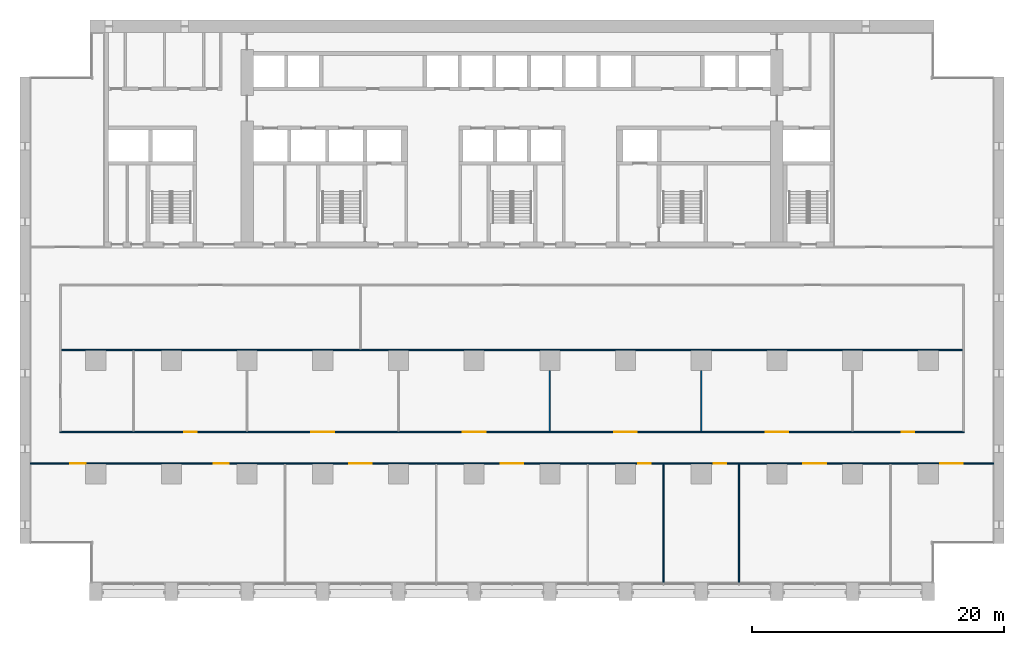
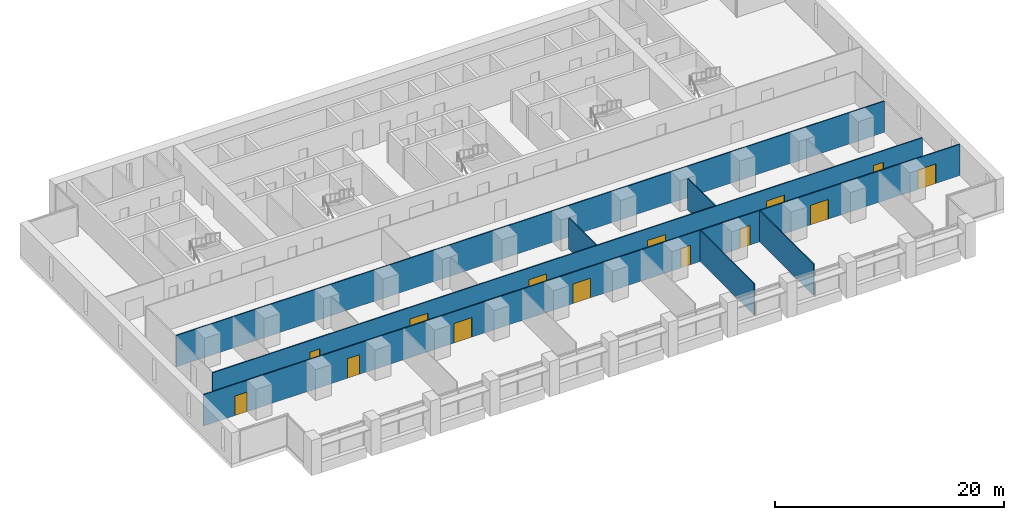
# One storey, part 9 of 18: 14 doors, 7 walls, 14 openings.
"""IFC4 building model written with IfcOpenShell, lengths in metres."""

from ifc_helpers import new_model, si_unit, direction, frame, frame_2d, origin, place, context, subcontext, project, spatial, rectangle, extrude, material, layer, layer_set, type_object, element, fill, save


model = new_model("IFC4")

# Units and contexts
model_context = context("Model", 3, precision=1e-05, world=origin(), true_north=direction((0.0, 1.0)))
body_context = subcontext(model_context, "Body", "Model", "MODEL_VIEW")
ifc_project = project(units=[si_unit("LENGTHUNIT", "METRE"), si_unit("AREAUNIT", "SQUARE_METRE"), si_unit("VOLUMEUNIT", "CUBIC_METRE"), si_unit("PLANEANGLEUNIT", "RADIAN"), si_unit("MASSUNIT", "GRAM", prefix="KILO")], contexts=[model_context])

# Site, building, storey
site_placement = place(None, origin())
site = spatial("IfcSite", under=ifc_project, at=site_placement, CompositionType="ELEMENT")
building_placement = place(site_placement, origin())
building = spatial("IfcBuilding", under=site, at=building_placement, Name="Calvaro Tower", CompositionType="ELEMENT")
storey_placement = place(building_placement, frame((0.0, 0.0, 63.75)))
storey = spatial("IfcBuildingStorey", under=building, at=storey_placement, Name="L15", CompositionType="ELEMENT", Elevation=63.75)

# Wall, openings, doors
ifc_material_1 = material(Name="Plasterboard on steel studs", Category="steel")
ifc_layer = layer(ifc_material_1, 0.10009765625)
ifc_layer_set = layer_set([ifc_layer], Name="Plasterboard on steel studs")
wall_type = type_object("IfcWallType", Name="Partition 100", PredefinedType="PARTITIONING", material=ifc_layer_set)
wall_1_placement = place(storey_placement, frame((0.800048828125, 10.85009765625, 0.0), z_axis=(0.0, 0.0, 1.0), x_axis=(1.0, 0.0, 0.0)))
wall_1 = element("IfcWall", 1, at=wall_1_placement, inside=storey, type_object=wall_type, Name="Partition T12.W001", PredefinedType="PARTITIONING", context=body_context, shape_type="SweptSolid", body=[
    extrude(rectangle(XDim=76.39990234375, YDim=0.10009765625, at=frame_2d((38.199951171875, 0.0))), origin(), (0.0, 0.0, 1.0), 3.35009765625),
])
opening_1_placement = place(wall_1_placement, frame((25.300048828125, 0.0, 0.0)))
opening_1 = element("IfcOpeningElement", 2, at=opening_1_placement, cuts=wall_1, Name="Opening T12.001", PredefinedType="OPENING", context=body_context, shape_type="SweptSolid", body=[
    extrude(rectangle(XDim=1.800048828125, YDim=2.10009765625, at=frame_2d((0.89990234375, 1.050048828125))), frame((0.0, 0.06005859375, 0.0), z_axis=(0.0, -1.0, 0.0), x_axis=(1.0, 0.0, 0.0)), (0.0, 0.0, 1.0), 0.1201171875),
])
opening_2_placement = place(wall_1_placement, frame((37.300048828125, 0.0, 0.0)))
opening_2 = element("IfcOpeningElement", 3, at=opening_2_placement, cuts=wall_1, Name="Opening T12.002", PredefinedType="OPENING", context=body_context, shape_type="SweptSolid", body=[
    extrude(rectangle(XDim=1.800048828125, YDim=2.10009765625, at=frame_2d((0.89990234375, 1.050048828125))), frame((0.0, 0.06005859375, 0.0), z_axis=(0.0, -1.0, 0.0), x_axis=(1.0, 0.0, 0.0)), (0.0, 0.0, 1.0), 0.1201171875),
])
opening_3_placement = place(wall_1_placement, frame((48.199951171875, 0.0, 0.0)))
opening_3 = element("IfcOpeningElement", 4, at=opening_3_placement, cuts=wall_1, Name="Opening T12.003", PredefinedType="OPENING", context=body_context, shape_type="SweptSolid", body=[
    extrude(rectangle(XDim=1.0, YDim=2.10009765625, at=frame_2d((0.5, 1.050048828125))), frame((0.0, 0.06005859375, 0.0), z_axis=(0.0, -1.0, 0.0), x_axis=(1.0, 0.0, 0.0)), (0.0, 0.0, 1.0), 0.1201171875),
])
opening_4_placement = place(wall_1_placement, frame((54.199951171875, 0.0, 0.0)))
opening_4 = element("IfcOpeningElement", 5, at=opening_4_placement, cuts=wall_1, Name="Opening T12.004", PredefinedType="OPENING", context=body_context, shape_type="SweptSolid", body=[
    extrude(rectangle(XDim=1.0, YDim=2.10009765625, at=frame_2d((0.5, 1.050048828125))), frame((0.0, 0.06005859375, 0.0), z_axis=(0.0, -1.0, 0.0), x_axis=(1.0, 0.0, 0.0)), (0.0, 0.0, 1.0), 0.1201171875),
])
opening_5_placement = place(wall_1_placement, frame((61.300048828125, 0.0, 0.0)))
opening_5 = element("IfcOpeningElement", 6, at=opening_5_placement, cuts=wall_1, Name="Opening T12.005", PredefinedType="OPENING", context=body_context, shape_type="SweptSolid", body=[
    extrude(rectangle(XDim=1.800048828125, YDim=2.10009765625, at=frame_2d((0.89990234375, 1.050048828125))), frame((0.0, 0.06005859375, 0.0), z_axis=(0.0, -1.0, 0.0), x_axis=(1.0, 0.0, 0.0)), (0.0, 0.0, 1.0), 0.1201171875),
])
opening_6_placement = place(wall_1_placement, frame((3.199951171875, 0.0, 0.0)))
opening_6 = element("IfcOpeningElement", 7, at=opening_6_placement, cuts=wall_1, Name="Opening T12.006", PredefinedType="OPENING", context=body_context, shape_type="SweptSolid", body=[
    extrude(rectangle(XDim=1.199951171875, YDim=2.10009765625, at=frame_2d((0.60009765625, 1.050048828125))), frame((0.0, 0.06005859375, 0.0), z_axis=(0.0, -1.0, 0.0), x_axis=(1.0, 0.0, 0.0)), (0.0, 0.0, 1.0), 0.1201171875),
])
opening_7_placement = place(wall_1_placement, frame((14.550048828125, 0.0, 0.0)))
opening_7 = element("IfcOpeningElement", 8, at=opening_7_placement, cuts=wall_1, Name="Opening T12.007", PredefinedType="OPENING", context=body_context, shape_type="SweptSolid", body=[
    extrude(rectangle(XDim=1.199951171875, YDim=2.10009765625, at=frame_2d((0.60009765625, 1.050048828125))), frame((0.0, 0.06005859375, 0.0), z_axis=(0.0, -1.0, 0.0), x_axis=(1.0, 0.0, 0.0)), (0.0, 0.0, 1.0), 0.1201171875),
])
opening_8_placement = place(wall_1_placement, frame((72.14990234375, 0.0, 0.0)))
opening_8 = element("IfcOpeningElement", 9, at=opening_8_placement, cuts=wall_1, Name="Opening T12.008", PredefinedType="OPENING", context=body_context, shape_type="SweptSolid", body=[
    extrude(rectangle(XDim=1.800048828125, YDim=2.10009765625, at=frame_2d((0.89990234375, 1.050048828125))), frame((0.0, 0.06005859375, 0.0), z_axis=(0.0, -1.0, 0.0), x_axis=(1.0, 0.0, 0.0)), (0.0, 0.0, 1.0), 0.1201171875),
])
ifc_material_2 = material(Name="Timber", Category="wood")
door_type_1 = type_object("IfcDoorType", Name="Internal double door 1800 x 2100", OperationType="DOUBLE_DOOR_SINGLE_SWING", PredefinedType="DOOR", material=ifc_material_2)
door_1_placement = place(opening_1_placement, origin())
door_1 = element("IfcDoor", 10, at=door_1_placement, inside=storey, type_object=door_type_1, Name="Door T12.001", OperationType="DOUBLE_DOOR_SINGLE_SWING", OverallHeight=2.10009765625, OverallWidth=1.800048828125, PredefinedType="DOOR", context=body_context, shape_type="SweptSolid", body=[
    extrude(rectangle(XDim=1.800048828125, YDim=2.10009765625, at=frame_2d((0.89990234375, 1.050048828125))), frame((0.0, 0.02490234375, 0.0), z_axis=(0.0, -1.0, 0.0), x_axis=(1.0, 0.0, 0.0)), (0.0, 0.0, 1.0), 0.050048828125),
])
fill(opening_1, door_1)
door_2_placement = place(opening_2_placement, origin())
door_2 = element("IfcDoor", 11, at=door_2_placement, inside=storey, type_object=door_type_1, Name="Door T12.002", OperationType="DOUBLE_DOOR_SINGLE_SWING", OverallHeight=2.10009765625, OverallWidth=1.800048828125, PredefinedType="DOOR", context=body_context, shape_type="SweptSolid", body=[
    extrude(rectangle(XDim=1.800048828125, YDim=2.10009765625, at=frame_2d((0.89990234375, 1.050048828125))), frame((0.0, 0.02490234375, 0.0), z_axis=(0.0, -1.0, 0.0), x_axis=(1.0, 0.0, 0.0)), (0.0, 0.0, 1.0), 0.050048828125),
])
fill(opening_2, door_2)
door_3_placement = place(opening_5_placement, origin())
door_3 = element("IfcDoor", 12, at=door_3_placement, inside=storey, type_object=door_type_1, Name="Door T12.005", OperationType="DOUBLE_DOOR_SINGLE_SWING", OverallHeight=2.10009765625, OverallWidth=1.800048828125, PredefinedType="DOOR", context=body_context, shape_type="SweptSolid", body=[
    extrude(rectangle(XDim=1.800048828125, YDim=2.10009765625, at=frame_2d((0.89990234375, 1.050048828125))), frame((0.0, 0.02490234375, 0.0), z_axis=(0.0, -1.0, 0.0), x_axis=(1.0, 0.0, 0.0)), (0.0, 0.0, 1.0), 0.050048828125),
])
fill(opening_5, door_3)
door_4_placement = place(opening_8_placement, origin())
door_4 = element("IfcDoor", 13, at=door_4_placement, inside=storey, type_object=door_type_1, Name="Door T12.008", OperationType="DOUBLE_DOOR_SINGLE_SWING", OverallHeight=2.10009765625, OverallWidth=1.800048828125, PredefinedType="DOOR", context=body_context, shape_type="SweptSolid", body=[
    extrude(rectangle(XDim=1.800048828125, YDim=2.10009765625, at=frame_2d((0.89990234375, 1.050048828125))), frame((0.0, 0.02490234375, 0.0), z_axis=(0.0, -1.0, 0.0), x_axis=(1.0, 0.0, 0.0)), (0.0, 0.0, 1.0), 0.050048828125),
])
fill(opening_8, door_4)
ifc_material_3 = material(Name="Timber", Category="wood")
door_type_2 = type_object("IfcDoorType", Name="Internal single door 1000 x 2100", OperationType="SINGLE_SWING_LEFT", PredefinedType="DOOR", material=ifc_material_3)
door_5_placement = place(opening_3_placement, origin())
door_5 = element("IfcDoor", 14, at=door_5_placement, inside=storey, type_object=door_type_2, Name="Door T12.003", OperationType="SINGLE_SWING_RIGHT", OverallHeight=2.10009765625, OverallWidth=1.0, PredefinedType="DOOR", context=body_context, shape_type="SweptSolid", body=[
    extrude(rectangle(XDim=1.0, YDim=2.10009765625, at=frame_2d((0.5, 1.050048828125))), frame((0.0, 0.02490234375, 0.0), z_axis=(0.0, -1.0, 0.0), x_axis=(1.0, 0.0, 0.0)), (0.0, 0.0, 1.0), 0.050048828125),
])
fill(opening_3, door_5)
door_6_placement = place(opening_4_placement, origin())
door_6 = element("IfcDoor", 15, at=door_6_placement, inside=storey, type_object=door_type_2, Name="Door T12.004", OperationType="SINGLE_SWING_RIGHT", OverallHeight=2.10009765625, OverallWidth=1.0, PredefinedType="DOOR", context=body_context, shape_type="SweptSolid", body=[
    extrude(rectangle(XDim=1.0, YDim=2.10009765625, at=frame_2d((0.5, 1.050048828125))), frame((0.0, 0.02490234375, 0.0), z_axis=(0.0, -1.0, 0.0), x_axis=(1.0, 0.0, 0.0)), (0.0, 0.0, 1.0), 0.050048828125),
])
fill(opening_4, door_6)
ifc_material_4 = material(Name="Timber", Category="wood")
door_type_3 = type_object("IfcDoorType", Name="Internal single door 1200 x 2100", OperationType="SINGLE_SWING_LEFT", PredefinedType="DOOR", material=ifc_material_4)
door_7_placement = place(opening_6_placement, origin())
door_7 = element("IfcDoor", 16, at=door_7_placement, inside=storey, type_object=door_type_3, Name="Door T12.006", OperationType="SINGLE_SWING_LEFT", OverallHeight=2.10009765625, OverallWidth=1.199951171875, PredefinedType="DOOR", context=body_context, shape_type="SweptSolid", body=[
    extrude(rectangle(XDim=1.199951171875, YDim=2.10009765625, at=frame_2d((0.60009765625, 1.050048828125))), frame((0.0, 0.02490234375, 0.0), z_axis=(0.0, -1.0, 0.0), x_axis=(1.0, 0.0, 0.0)), (0.0, 0.0, 1.0), 0.050048828125),
])
fill(opening_6, door_7)
door_8_placement = place(opening_7_placement, origin())
door_8 = element("IfcDoor", 17, at=door_8_placement, inside=storey, type_object=door_type_3, Name="Door T12.007", OperationType="SINGLE_SWING_LEFT", OverallHeight=2.10009765625, OverallWidth=1.199951171875, PredefinedType="DOOR", context=body_context, shape_type="SweptSolid", body=[
    extrude(rectangle(XDim=1.199951171875, YDim=2.10009765625, at=frame_2d((0.60009765625, 1.050048828125))), frame((0.0, 0.02490234375, 0.0), z_axis=(0.0, -1.0, 0.0), x_axis=(1.0, 0.0, 0.0)), (0.0, 0.0, 1.0), 0.050048828125),
])
fill(opening_7, door_8)

wall_2_placement = place(storey_placement, frame((3.14990234375, 13.35009765625, 0.0), z_axis=(0.0, 0.0, 1.0), x_axis=(1.0, 0.0, 0.0)))
wall_2 = element("IfcWall", 18, at=wall_2_placement, inside=storey, type_object=wall_type, Name="Partition T12.W002", PredefinedType="PARTITIONING", context=body_context, shape_type="SweptSolid", body=[
    extrude(rectangle(XDim=71.7001953125, YDim=0.10009765625, at=frame_2d((35.85009765625, 0.0))), origin(), (0.0, 0.0, 1.0), 3.35009765625),
])
opening_9_placement = place(wall_2_placement, frame((9.85009765625, 0.0, 0.0)))
opening_9 = element("IfcOpeningElement", 19, at=opening_9_placement, cuts=wall_2, Name="Opening T12.010", PredefinedType="OPENING", context=body_context, shape_type="SweptSolid", body=[
    extrude(rectangle(XDim=1.0, YDim=2.10009765625, at=frame_2d((0.5, 1.050048828125))), frame((0.0, 0.06005859375, 0.0), z_axis=(0.0, -1.0, 0.0), x_axis=(1.0, 0.0, 0.0)), (0.0, 0.0, 1.0), 0.1201171875),
])
opening_10_placement = place(wall_2_placement, frame((19.949951171875, 0.0, 0.0)))
opening_10 = element("IfcOpeningElement", 20, at=opening_10_placement, cuts=wall_2, Name="Opening T12.011", PredefinedType="OPENING", context=body_context, shape_type="SweptSolid", body=[
    extrude(rectangle(XDim=1.800048828125, YDim=2.10009765625, at=frame_2d((0.89990234375, 1.050048828125))), frame((0.0, 0.06005859375, 0.0), z_axis=(0.0, -1.0, 0.0), x_axis=(1.0, 0.0, 0.0)), (0.0, 0.0, 1.0), 0.1201171875),
])
opening_11_placement = place(wall_2_placement, frame((31.949951171875, 0.0, 0.0)))
opening_11 = element("IfcOpeningElement", 21, at=opening_11_placement, cuts=wall_2, Name="Opening T12.012", PredefinedType="OPENING", context=body_context, shape_type="SweptSolid", body=[
    extrude(rectangle(XDim=1.800048828125, YDim=2.10009765625, at=frame_2d((0.89990234375, 1.050048828125))), frame((0.0, 0.06005859375, 0.0), z_axis=(0.0, -1.0, 0.0), x_axis=(1.0, 0.0, 0.0)), (0.0, 0.0, 1.0), 0.1201171875),
])
opening_12_placement = place(wall_2_placement, frame((43.949951171875, 0.0, 0.0)))
opening_12 = element("IfcOpeningElement", 22, at=opening_12_placement, cuts=wall_2, Name="Opening T12.013", PredefinedType="OPENING", context=body_context, shape_type="SweptSolid", body=[
    extrude(rectangle(XDim=1.800048828125, YDim=2.10009765625, at=frame_2d((0.89990234375, 1.050048828125))), frame((0.0, 0.06005859375, 0.0), z_axis=(0.0, -1.0, 0.0), x_axis=(1.0, 0.0, 0.0)), (0.0, 0.0, 1.0), 0.1201171875),
])
opening_13_placement = place(wall_2_placement, frame((55.949951171875, 0.0, 0.0)))
opening_13 = element("IfcOpeningElement", 23, at=opening_13_placement, cuts=wall_2, Name="Opening T12.014", PredefinedType="OPENING", context=body_context, shape_type="SweptSolid", body=[
    extrude(rectangle(XDim=1.800048828125, YDim=2.10009765625, at=frame_2d((0.89990234375, 1.050048828125))), frame((0.0, 0.06005859375, 0.0), z_axis=(0.0, -1.0, 0.0), x_axis=(1.0, 0.0, 0.0)), (0.0, 0.0, 1.0), 0.1201171875),
])
opening_14_placement = place(wall_2_placement, frame((66.75, 0.0, 0.0)))
opening_14 = element("IfcOpeningElement", 24, at=opening_14_placement, cuts=wall_2, Name="Opening T12.015", PredefinedType="OPENING", context=body_context, shape_type="SweptSolid", body=[
    extrude(rectangle(XDim=1.0, YDim=2.10009765625, at=frame_2d((0.5, 1.050048828125))), frame((0.0, 0.06005859375, 0.0), z_axis=(0.0, -1.0, 0.0), x_axis=(1.0, 0.0, 0.0)), (0.0, 0.0, 1.0), 0.1201171875),
])
door_9_placement = place(opening_10_placement, origin())
door_9 = element("IfcDoor", 25, at=door_9_placement, inside=storey, type_object=door_type_1, Name="Door T12.011", OperationType="DOUBLE_DOOR_SINGLE_SWING", OverallHeight=2.10009765625, OverallWidth=1.800048828125, PredefinedType="DOOR", context=body_context, shape_type="SweptSolid", body=[
    extrude(rectangle(XDim=1.800048828125, YDim=2.10009765625, at=frame_2d((0.89990234375, 1.050048828125))), frame((0.0, 0.02490234375, 0.0), z_axis=(0.0, -1.0, 0.0), x_axis=(1.0, 0.0, 0.0)), (0.0, 0.0, 1.0), 0.050048828125),
])
fill(opening_10, door_9)
door_10_placement = place(opening_11_placement, origin())
door_10 = element("IfcDoor", 26, at=door_10_placement, inside=storey, type_object=door_type_1, Name="Door T12.012", OperationType="DOUBLE_DOOR_SINGLE_SWING", OverallHeight=2.10009765625, OverallWidth=1.800048828125, PredefinedType="DOOR", context=body_context, shape_type="SweptSolid", body=[
    extrude(rectangle(XDim=1.800048828125, YDim=2.10009765625, at=frame_2d((0.89990234375, 1.050048828125))), frame((0.0, 0.02490234375, 0.0), z_axis=(0.0, -1.0, 0.0), x_axis=(1.0, 0.0, 0.0)), (0.0, 0.0, 1.0), 0.050048828125),
])
fill(opening_11, door_10)
door_11_placement = place(opening_12_placement, origin())
door_11 = element("IfcDoor", 27, at=door_11_placement, inside=storey, type_object=door_type_1, Name="Door T12.013", OperationType="DOUBLE_DOOR_SINGLE_SWING", OverallHeight=2.10009765625, OverallWidth=1.800048828125, PredefinedType="DOOR", context=body_context, shape_type="SweptSolid", body=[
    extrude(rectangle(XDim=1.800048828125, YDim=2.10009765625, at=frame_2d((0.89990234375, 1.050048828125))), frame((0.0, 0.02490234375, 0.0), z_axis=(0.0, -1.0, 0.0), x_axis=(1.0, 0.0, 0.0)), (0.0, 0.0, 1.0), 0.050048828125),
])
fill(opening_12, door_11)
door_12_placement = place(opening_13_placement, origin())
door_12 = element("IfcDoor", 28, at=door_12_placement, inside=storey, type_object=door_type_1, Name="Door T12.014", OperationType="DOUBLE_DOOR_SINGLE_SWING", OverallHeight=2.10009765625, OverallWidth=1.800048828125, PredefinedType="DOOR", context=body_context, shape_type="SweptSolid", body=[
    extrude(rectangle(XDim=1.800048828125, YDim=2.10009765625, at=frame_2d((0.89990234375, 1.050048828125))), frame((0.0, 0.02490234375, 0.0), z_axis=(0.0, -1.0, 0.0), x_axis=(1.0, 0.0, 0.0)), (0.0, 0.0, 1.0), 0.050048828125),
])
fill(opening_13, door_12)
door_13_placement = place(opening_9_placement, origin())
door_13 = element("IfcDoor", 29, at=door_13_placement, inside=storey, type_object=door_type_2, Name="Door T12.010", OperationType="SINGLE_SWING_LEFT", OverallHeight=2.10009765625, OverallWidth=1.0, PredefinedType="DOOR", context=body_context, shape_type="SweptSolid", body=[
    extrude(rectangle(XDim=1.0, YDim=2.10009765625, at=frame_2d((0.5, 1.050048828125))), frame((0.0, 0.02490234375, 0.0), z_axis=(0.0, -1.0, 0.0), x_axis=(1.0, 0.0, 0.0)), (0.0, 0.0, 1.0), 0.050048828125),
])
fill(opening_9, door_13)
door_14_placement = place(opening_14_placement, origin())
door_14 = element("IfcDoor", 30, at=door_14_placement, inside=storey, type_object=door_type_2, Name="Door T12.015", OperationType="SINGLE_SWING_RIGHT", OverallHeight=2.10009765625, OverallWidth=1.0, PredefinedType="DOOR", context=body_context, shape_type="SweptSolid", body=[
    extrude(rectangle(XDim=1.0, YDim=2.10009765625, at=frame_2d((0.5, 1.050048828125))), frame((0.0, 0.02490234375, 0.0), z_axis=(0.0, -1.0, 0.0), x_axis=(1.0, 0.0, 0.0)), (0.0, 0.0, 1.0), 0.050048828125),
])
fill(opening_14, door_14)

# Walls
wall_3_placement = place(storey_placement, frame((3.25, 19.85009765625, 0.0), z_axis=(0.0, 0.0, 1.0), x_axis=(1.0, 0.0, 0.0)))
element("IfcWall", 31, at=wall_3_placement, inside=storey, type_object=wall_type, Name="Partition T12.W003", PredefinedType="PARTITIONING", context=body_context, shape_type="SweptSolid", body=[
    extrude(rectangle(XDim=71.5, YDim=0.10009765625, at=frame_2d((35.75, 0.0))), origin(), (0.0, 0.0, 1.0), 3.35009765625),
])
wall_4_placement = place(storey_placement, frame((42.0, 13.39990234375, 0.0), z_axis=(0.0, 0.0, 1.0), x_axis=(0.0, 1.0, 0.0)))
element("IfcWall", 32, at=wall_4_placement, inside=storey, type_object=wall_type, Name="Partition T12.W014", PredefinedType="PARTITIONING", context=body_context, shape_type="SweptSolid", body=[
    extrude(rectangle(XDim=4.800048828125, YDim=0.10009765625, at=frame_2d((2.39990234375, 0.0))), origin(), (0.0, 0.0, 1.0), 3.35009765625),
])
wall_5_placement = place(storey_placement, frame((51.0, 1.39990234375, 0.0), z_axis=(0.0, 0.0, 1.0), x_axis=(0.0, 1.0, 0.0)))
element("IfcWall", 33, at=wall_5_placement, inside=storey, type_object=wall_type, Name="Partition T12.W016", PredefinedType="PARTITIONING", context=body_context, shape_type="SweptSolid", body=[
    extrude(rectangle(XDim=9.400146484375, YDim=0.10009765625, at=frame_2d((4.7001953125, 0.0))), origin(), (0.0, 0.0, 1.0), 3.35009765625),
])
wall_6_placement = place(storey_placement, frame((54.0, 13.39990234375, 0.0), z_axis=(0.0, 0.0, 1.0), x_axis=(0.0, 1.0, 0.0)))
element("IfcWall", 34, at=wall_6_placement, inside=storey, type_object=wall_type, Name="Partition T12.W017", PredefinedType="PARTITIONING", context=body_context, shape_type="SweptSolid", body=[
    extrude(rectangle(XDim=4.800048828125, YDim=0.10009765625, at=frame_2d((2.39990234375, 0.0))), origin(), (0.0, 0.0, 1.0), 3.35009765625),
])
wall_7_placement = place(storey_placement, frame((57.0, 1.39990234375, 0.0), z_axis=(0.0, 0.0, 1.0), x_axis=(0.0, 1.0, 0.0)))
element("IfcWall", 35, at=wall_7_placement, inside=storey, type_object=wall_type, Name="Partition T12.W018", PredefinedType="PARTITIONING", context=body_context, shape_type="SweptSolid", body=[
    extrude(rectangle(XDim=9.400146484375, YDim=0.10009765625, at=frame_2d((4.7001953125, 0.0))), origin(), (0.0, 0.0, 1.0), 3.35009765625),
])

save(model, "model.ifc")
